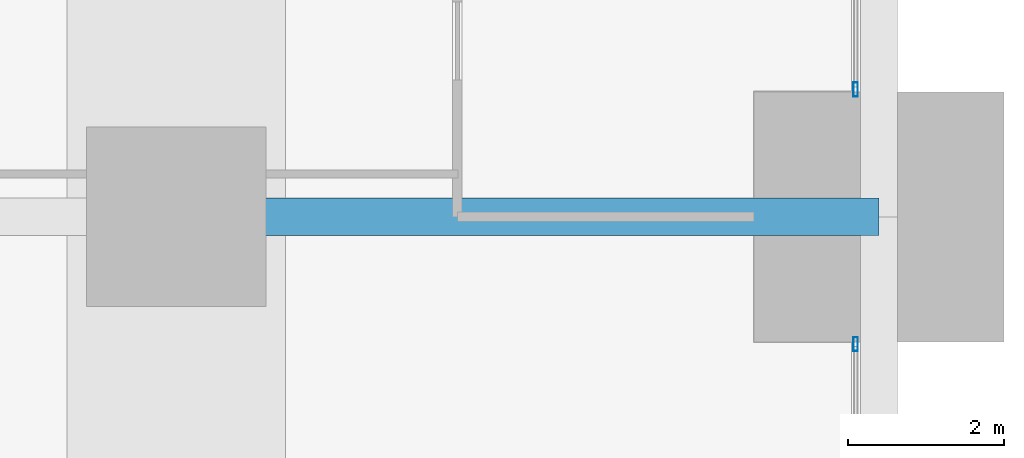
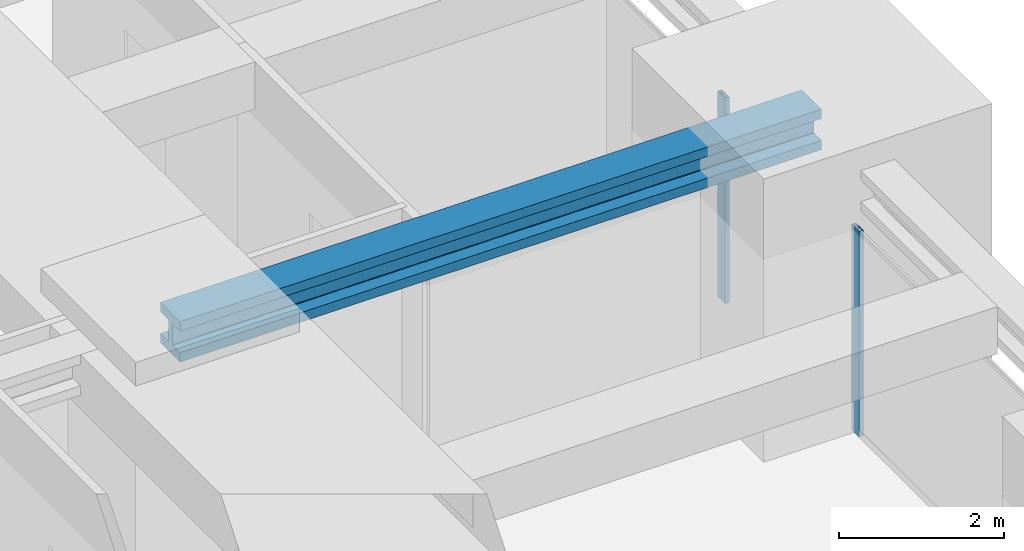
# One storey, part 31 of 42: 2 members, 1 beam, 2 elements without a shape of their own.
"""IFC4 building model written with IfcOpenShell, lengths in metres."""

from ifc_helpers import new_model, si_unit, direction, frame, origin, origin_2d, place, context, subcontext, project, spatial, hollow_rectangle, i_section, extrude, material, material_profile, profile_set, type_object, element, aggregate, save


model = new_model("IFC4")

# Units and contexts
model_context = context("Model", 3, precision=1e-05, world=origin(), true_north=direction((0.0, 1.0)))
body_context = subcontext(model_context, "Body", "Model", "MODEL_VIEW")
ifc_project = project(units=[si_unit("LENGTHUNIT", "METRE"), si_unit("AREAUNIT", "SQUARE_METRE"), si_unit("VOLUMEUNIT", "CUBIC_METRE"), si_unit("PLANEANGLEUNIT", "RADIAN"), si_unit("MASSUNIT", "GRAM", prefix="KILO")], contexts=[model_context])

# Site, building, storey
site_placement = place(None, origin())
site = spatial("IfcSite", under=ifc_project, at=site_placement, CompositionType="ELEMENT")
building_placement = place(site_placement, origin())
building = spatial("IfcBuilding", under=site, at=building_placement, Name="Zorevar Civic Tower", CompositionType="ELEMENT")
storey_placement = place(building_placement, frame((0.0, 0.0, 75.800048828125)))
storey = spatial("IfcBuildingStorey", under=building, at=storey_placement, Name="L18", CompositionType="ELEMENT", Elevation=75.800048828125)

# Curtain wall, member
ifc_material_1 = material(Name="Dark grey solar-control glass in black aluminium frame", Category="aluminium")
curtain_wall_type = type_object("IfcCurtainWallType", Name="Curtain wall CW2 low zone", PredefinedType="NOTDEFINED", material=ifc_material_1)
curtain_wall_1_placement = place(storey_placement, origin())
curtain_wall_1 = element("IfcCurtainWall", 1, at=curtain_wall_1_placement, inside=storey, type_object=curtain_wall_type, Name="CW2 L18", PredefinedType="NOTDEFINED")
ifc_material_2 = material(Name="Aluminium, black anodised", Category="aluminium")
ifc_material_profile_1 = material_profile(ifc_material_2, hollow_rectangle(XDim=0.06005859375, YDim=0.179931640625, WallThickness=0.00390625, at=origin_2d()), Name="AL 180x60x4")
ifc_profile_set_1 = profile_set([ifc_material_profile_1], Name="Aluminium, black anodised")
member_type = type_object("IfcMemberType", Name="CW2 mullion AL 180x60x4", PredefinedType="MULLION", material=ifc_profile_set_1)
member_1_placement = place(storey_placement, frame((62.699951171875, 34.3701171875, 0.0), z_axis=(0.0, 0.0, 1.0), x_axis=(-1.0, 0.0, 0.0)))
member_1 = element("IfcMember", 2, at=member_1_placement, type_object=member_type, Name="CW2 mullion 2", PredefinedType="MULLION", context=body_context, shape_type="SweptSolid", body=[
    extrude(hollow_rectangle(XDim=0.06005859375, YDim=0.179931640625, WallThickness=0.00390625, at=origin_2d()), origin(), (0.0, 0.0, 1.0), 3.050048828125),
])
aggregate(curtain_wall_1, [member_1])

curtain_wall_2_placement = place(storey_placement, origin())
curtain_wall_2 = element("IfcCurtainWall", 3, at=curtain_wall_2_placement, inside=storey, type_object=curtain_wall_type, Name="CW2 L18", PredefinedType="NOTDEFINED")
member_2_placement = place(storey_placement, frame((62.699951171875, 37.6298828125, 0.0), z_axis=(0.0, 0.0, 1.0), x_axis=(-1.0, 0.0, 0.0)))
member_2 = element("IfcMember", 4, at=member_2_placement, type_object=member_type, Name="CW2 mullion 1", PredefinedType="MULLION", context=body_context, shape_type="SweptSolid", body=[
    extrude(hollow_rectangle(XDim=0.06005859375, YDim=0.179931640625, WallThickness=0.00390625, at=origin_2d()), origin(), (0.0, 0.0, 1.0), 3.050048828125),
])
aggregate(curtain_wall_2, [member_2])

# Beam
ifc_material_3 = material(Name="Steel S460M (HISTAR 460)", Category="steel")
ifc_material_profile_2 = material_profile(ifc_material_3, i_section(OverallWidth=0.47607421875, OverallDepth=0.60009765625, WebThickness=0.10009765625, FlangeThickness=0.139892578125, FilletRadius=0.014892578125, at=origin_2d()), Name="HD 400x1299")
ifc_profile_set_2 = profile_set([ifc_material_profile_2], Name="Steel S460M (HISTAR 460)")
beam_type = type_object("IfcBeamType", Name="Outrigger chord HD 400x1299", PredefinedType="BEAM", material=ifc_profile_set_2)
beam_placement = place(storey_placement, frame((54.0, 36.0, 3.550048828125), z_axis=(1.0, 0.0, 0.0), x_axis=(0.0, 1.0, 0.0)))
element("IfcBeam", 5, at=beam_placement, inside=storey, type_object=beam_type, Name="Outrigger chord L19", PredefinedType="BEAM", context=body_context, shape_type="SweptSolid", body=[
    extrude(i_section(OverallWidth=0.47607421875, OverallDepth=0.60009765625, WebThickness=0.10009765625, FlangeThickness=0.139892578125, FilletRadius=0.014892578125, at=origin_2d()), origin(), (0.0, 0.0, 1.0), 9.0),
])

save(model, "model.ifc")
